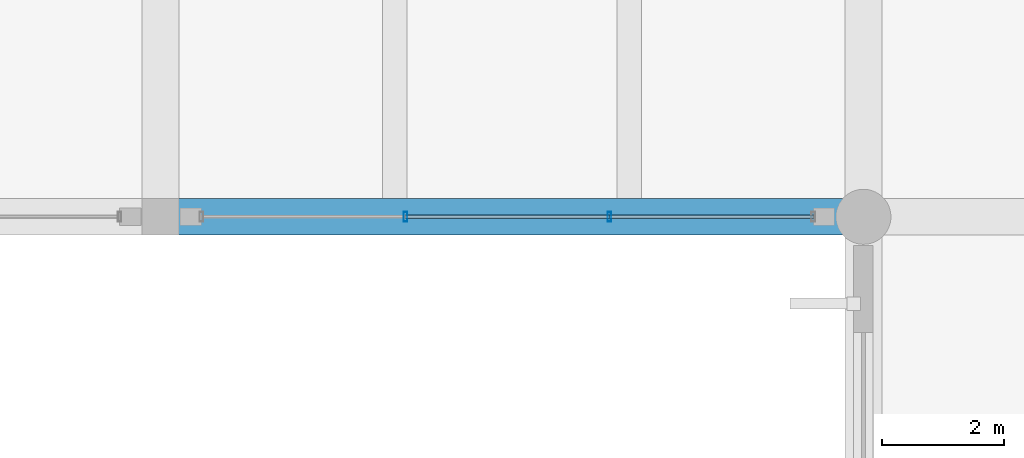
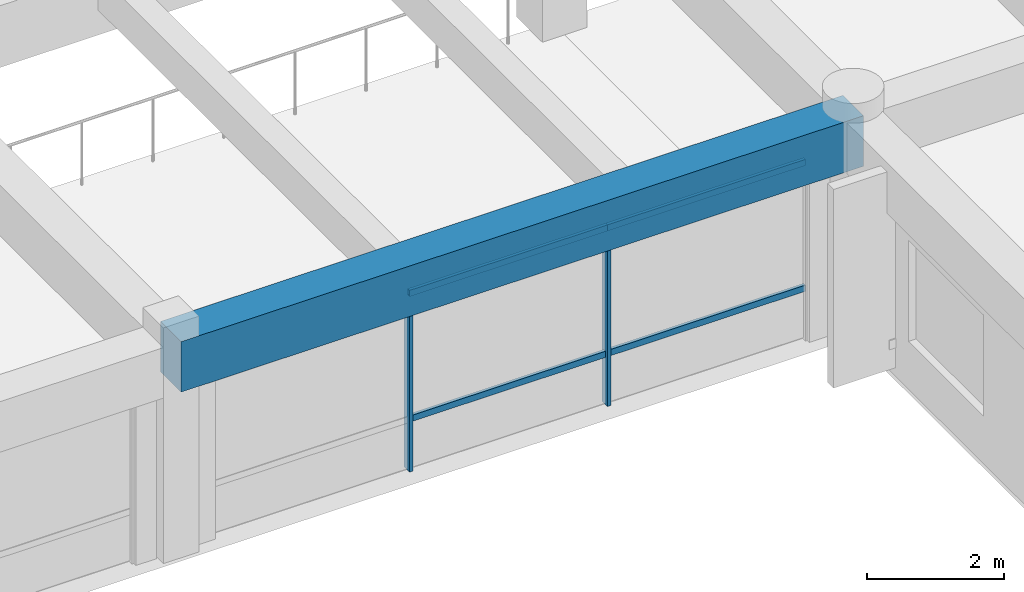
# One storey, part 13 of 98: 6 members, 1 beam, 1 element without a shape of its own.
"""IFC4 building model written with IfcOpenShell, lengths in metres."""

from ifc_helpers import new_model, si_unit, direction, frame, origin, origin_2d, place, context, subcontext, project, spatial, rectangle, hollow_rectangle, extrude, material, material_profile, profile_set, type_object, element, aggregate, save


model = new_model("IFC4")

# Units and contexts
model_context = context("Model", 3, precision=1e-05, world=origin(), true_north=direction((0.0, 1.0)))
body_context = subcontext(model_context, "Body", "Model", "MODEL_VIEW")
ifc_project = project(units=[si_unit("LENGTHUNIT", "METRE"), si_unit("AREAUNIT", "SQUARE_METRE"), si_unit("VOLUMEUNIT", "CUBIC_METRE"), si_unit("PLANEANGLEUNIT", "RADIAN"), si_unit("MASSUNIT", "GRAM", prefix="KILO")], contexts=[model_context])

# Site, building, storey
site_placement = place(None, origin())
site = spatial("IfcSite", under=ifc_project, at=site_placement, CompositionType="ELEMENT")
building_placement = place(site_placement, origin())
building = spatial("IfcBuilding", under=site, at=building_placement, Name="Ologun Quay Terminus", CompositionType="ELEMENT")
storey_placement = place(building_placement, frame((0.0, 0.0, 4.199951171875)))
storey = spatial("IfcBuildingStorey", under=building, at=storey_placement, Name="L01", CompositionType="ELEMENT", Elevation=4.199951171875)

# Curtain wall, members
ifc_material_1 = material(Name="Aluminium 6063-T6", Category="aluminium")
curtain_wall_type = type_object("IfcCurtainWallType", Name="Forecourt Mezzanine Curtain Wall 10700x3850", PredefinedType="USERDEFINED", material=ifc_material_1)
curtain_wall_placement = place(storey_placement, origin())
curtain_wall = element("IfcCurtainWall", 1, at=curtain_wall_placement, inside=storey, type_object=curtain_wall_type, Name="CW-04 Curtain Wall CW-L01-013", ObjectType="UNITISED CURTAIN WALL", PredefinedType="USERDEFINED")
ifc_material_2 = material(Name="Aluminium 6063-T6", Category="aluminium")
ifc_material_profile_1 = material_profile(ifc_material_2, hollow_rectangle(XDim=0.06005859375, YDim=0.159912109375, WallThickness=0.00390625, at=origin_2d()), Name="ALU 160x60x4")
ifc_profile_set_1 = profile_set([ifc_material_profile_1], Name="Aluminium 6063-T6")
member_type_1 = type_object("IfcMemberType", Name="Curtain Wall Standard Mullion 160x65", PredefinedType="MULLION", material=ifc_profile_set_1)
member_1_placement = place(storey_placement, frame((50.006591796875, 27.199951171875, 0.0), z_axis=(0.0, 0.0, 1.0), x_axis=(1.0, 0.0, 0.0)))
member_1 = element("IfcMember", 2, at=member_1_placement, type_object=member_type_1, Name="CW-L01-013 Mullion 2", PredefinedType="MULLION", context=body_context, shape_type="SweptSolid", body=[
    extrude(hollow_rectangle(XDim=0.06005859375, YDim=0.159912109375, WallThickness=0.00390625, at=origin_2d()), origin(), (0.0, 0.0, 1.0), 3.840087890625),
])
member_2_placement = place(storey_placement, frame((53.34326171875, 27.199951171875, 0.0), z_axis=(0.0, 0.0, 1.0), x_axis=(1.0, 0.0, 0.0)))
member_2 = element("IfcMember", 3, at=member_2_placement, type_object=member_type_1, Name="CW-L01-013 Mullion 3", PredefinedType="MULLION", context=body_context, shape_type="SweptSolid", body=[
    extrude(hollow_rectangle(XDim=0.06005859375, YDim=0.159912109375, WallThickness=0.00390625, at=origin_2d()), origin(), (0.0, 0.0, 1.0), 3.840087890625),
])
ifc_material_3 = material(Name="Aluminium 6063-T6", Category="aluminium")
ifc_material_profile_2 = material_profile(ifc_material_3, hollow_rectangle(XDim=0.054931640625, YDim=0.110107421875, WallThickness=0.00390625, at=origin_2d()), Name="ALU 110x55x4")
ifc_profile_set_2 = profile_set([ifc_material_profile_2], Name="Aluminium 6063-T6")
member_type_2 = type_object("IfcMemberType", Name="Curtain Wall Standard Transom 110x55", PredefinedType="USERDEFINED", material=ifc_profile_set_2)
member_3_placement = place(storey_placement, frame((50.006591796875, 27.199951171875, 0.900146484375), z_axis=(1.0, 0.0, 0.0), x_axis=(0.0, 1.0, 0.0)))
member_3 = element("IfcMember", 4, at=member_3_placement, type_object=member_type_2, Name="CW-L01-013 Transom B2-1", ObjectType="TRANSOM", PredefinedType="USERDEFINED", context=body_context, shape_type="SweptSolid", body=[
    extrude(hollow_rectangle(XDim=0.054931640625, YDim=0.110107421875, WallThickness=0.00390625, at=origin_2d()), origin(), (0.0, 0.0, 1.0), 3.336669921875),
])
member_4_placement = place(storey_placement, frame((50.006591796875, 27.199951171875, 3.14013671875), z_axis=(1.0, 0.0, 0.0), x_axis=(0.0, 1.0, 0.0)))
member_4 = element("IfcMember", 5, at=member_4_placement, type_object=member_type_2, Name="CW-L01-013 Transom B2-2", ObjectType="TRANSOM", PredefinedType="USERDEFINED", context=body_context, shape_type="SweptSolid", body=[
    extrude(hollow_rectangle(XDim=0.054931640625, YDim=0.110107421875, WallThickness=0.00390625, at=origin_2d()), origin(), (0.0, 0.0, 1.0), 3.336669921875),
])
member_5_placement = place(storey_placement, frame((53.34326171875, 27.199951171875, 0.900146484375), z_axis=(1.0, 0.0, 0.0), x_axis=(0.0, 1.0, 0.0)))
member_5 = element("IfcMember", 6, at=member_5_placement, type_object=member_type_2, Name="CW-L01-013 Transom B3-1", ObjectType="TRANSOM", PredefinedType="USERDEFINED", context=body_context, shape_type="SweptSolid", body=[
    extrude(hollow_rectangle(XDim=0.054931640625, YDim=0.110107421875, WallThickness=0.00390625, at=origin_2d()), origin(), (0.0, 0.0, 1.0), 3.336669921875),
])
member_6_placement = place(storey_placement, frame((53.34326171875, 27.199951171875, 3.14013671875), z_axis=(1.0, 0.0, 0.0), x_axis=(0.0, 1.0, 0.0)))
member_6 = element("IfcMember", 7, at=member_6_placement, type_object=member_type_2, Name="CW-L01-013 Transom B3-2", ObjectType="TRANSOM", PredefinedType="USERDEFINED", context=body_context, shape_type="SweptSolid", body=[
    extrude(hollow_rectangle(XDim=0.054931640625, YDim=0.110107421875, WallThickness=0.00390625, at=origin_2d()), origin(), (0.0, 0.0, 1.0), 3.336669921875),
])
aggregate(curtain_wall, [member_1, member_2, member_3, member_4, member_5, member_6])

# Beam
ifc_material_4 = material(Name="Concrete C40/50", Category="concrete")
ifc_material_profile_3 = material_profile(ifc_material_4, rectangle(XDim=0.60009765625, YDim=0.89990234375, at=origin_2d()), Name="RC 600x900")
ifc_profile_set_3 = profile_set([ifc_material_profile_3], Name="Concrete C40/50")
beam_type = type_object("IfcBeamType", Name="Station Frame Girder 600x900", PredefinedType="BEAM", material=ifc_profile_set_3)
beam_placement = place(storey_placement, frame((46.0, 27.199951171875, 3.400146484375), z_axis=(1.0, 0.0, 0.0), x_axis=(0.0, 1.0, 0.0)))
element("IfcBeam", 8, at=beam_placement, inside=storey, type_object=beam_type, Name="B3 Beam 5/D L01", PredefinedType="BEAM", context=body_context, shape_type="SweptSolid", body=[
    extrude(rectangle(XDim=0.60009765625, YDim=0.89990234375, at=origin_2d()), origin(), (0.0, 0.0, 1.0), 11.5),
])

save(model, "model.ifc")
